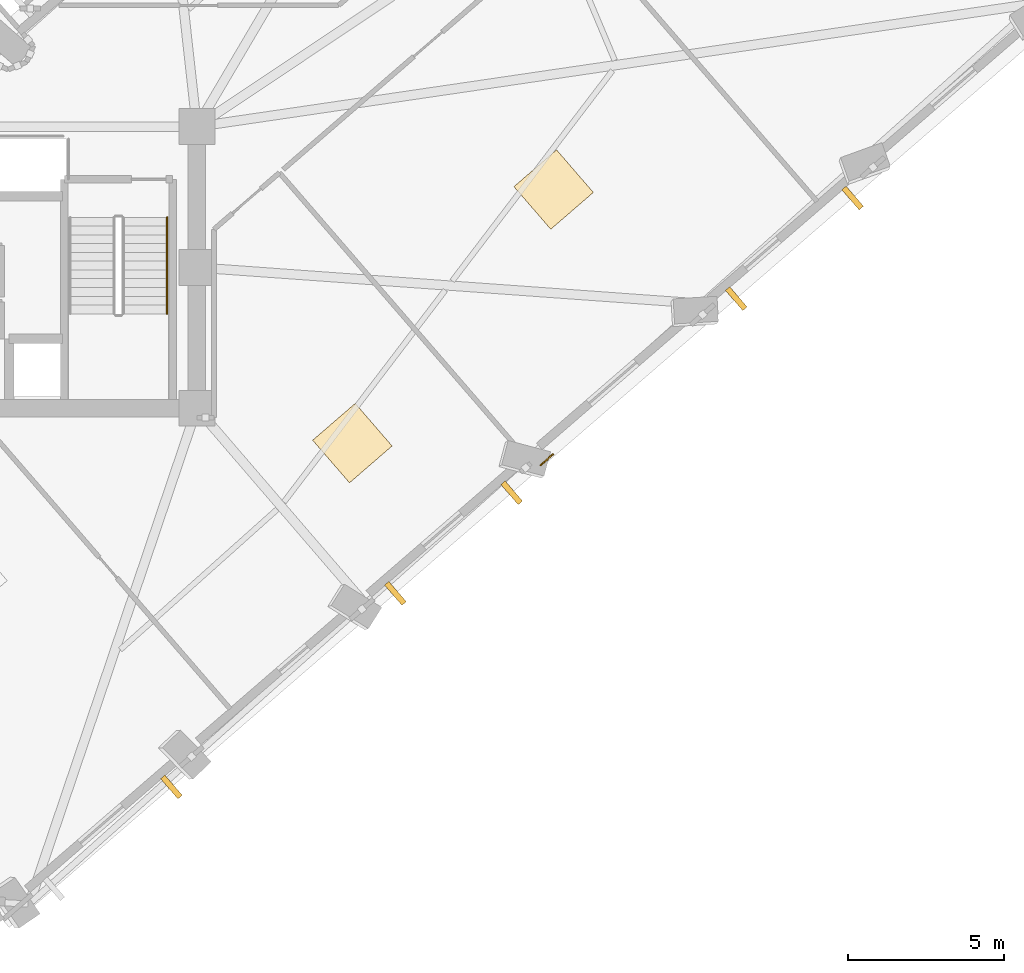
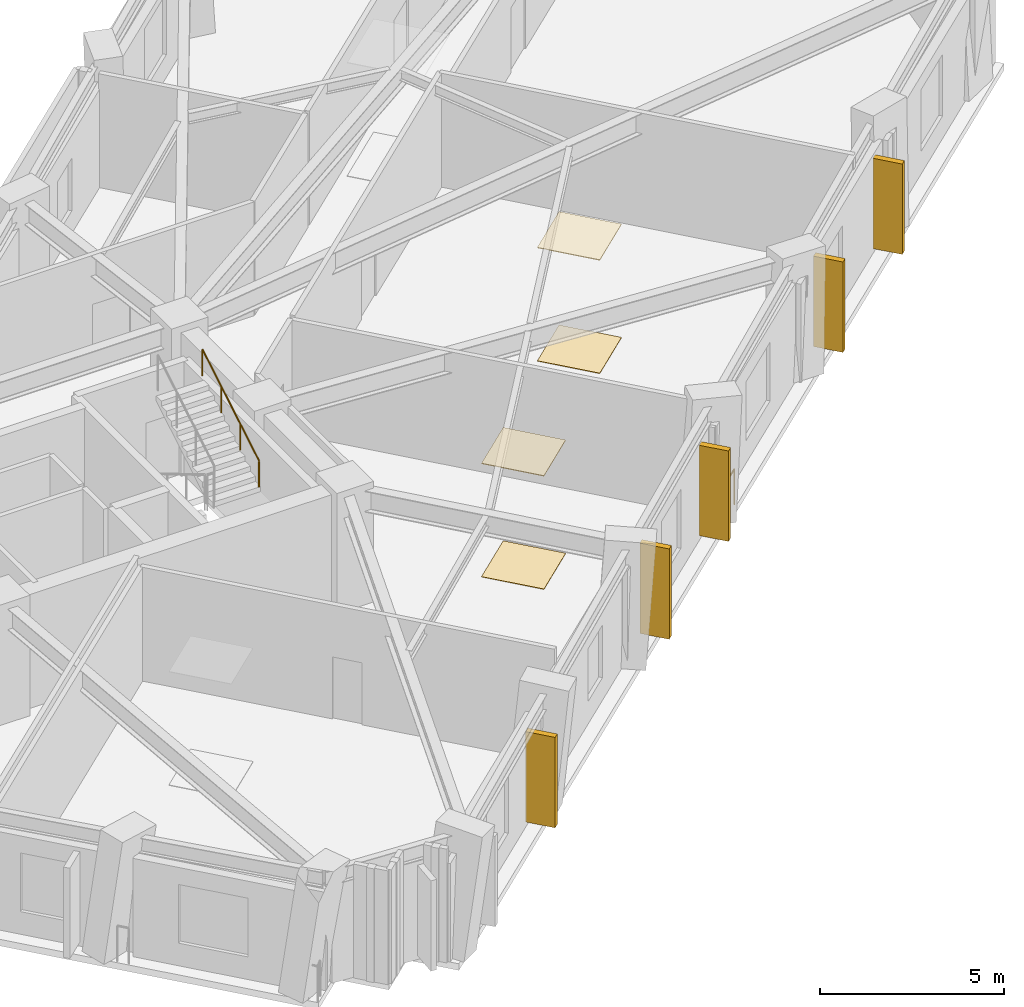
# One storey, part 12 of 14: 5 shading devices, 4 coverings, 2 railings.
"""IFC4 building model written with IfcOpenShell, lengths in metres."""

from ifc_helpers import new_model, si_unit, direction, frame, origin, origin_2d, place, context, subcontext, project, spatial, rectangle, circle, extrude, material, layer, layer_set, type_object, element, save


model = new_model("IFC4")

# Units and contexts
model_context = context("Model", 3, precision=1e-05, world=origin(), true_north=direction((0.0, 1.0)))
body_context = subcontext(model_context, "Body", "Model", "MODEL_VIEW")
ifc_project = project(units=[si_unit("LENGTHUNIT", "METRE"), si_unit("AREAUNIT", "SQUARE_METRE"), si_unit("VOLUMEUNIT", "CUBIC_METRE"), si_unit("PLANEANGLEUNIT", "RADIAN"), si_unit("MASSUNIT", "GRAM", prefix="KILO")], contexts=[model_context])

# Site, building, storey
site_placement = place(None, origin())
site = spatial("IfcSite", under=ifc_project, at=site_placement, CompositionType="ELEMENT")
building_placement = place(site_placement, origin())
building = spatial("IfcBuilding", under=site, at=building_placement, Name="Gaonmaruhae Medical Tower", CompositionType="ELEMENT")
storey_placement = place(building_placement, frame((0.0, 0.0, 197.800048828125)))
storey = spatial("IfcBuildingStorey", under=building, at=storey_placement, Name="L47", CompositionType="ELEMENT", Elevation=197.800048828125)

# Coverings
ifc_material_1 = material(Name="Acoustic mineral ceiling tile", Category="finish")
ifc_layer_1 = layer(ifc_material_1, 0.02490234375)
ifc_layer_set_1 = layer_set([ifc_layer_1], Name="Acoustic mineral ceiling tile")
covering_type_1 = type_object("IfcCoveringType", Name="CLG-01 Antimicrobial Acoustic Mineral Ceiling", PredefinedType="CEILING", material=ifc_layer_set_1)
for number, where, z_axis, x_axis, name in (
    (1, (40.573486328125, 6.685791015625, 3.7548828125), (0.0, 0.0, 1.0), (0.756424550435, 0.654080957909, 0.0), "L47 Clinical Room Acoustic Ceiling 3"),
    (2, (47.007080078125, 14.79150390625, 3.7548828125), (0.0, 0.0, 1.0), (0.756424550435, 0.654080957909, 0.0), "L47 Clinical Room Acoustic Ceiling 4"),
):
    element("IfcCovering", number, at=place(storey_placement, frame(where, z_axis=z_axis, x_axis=x_axis)), inside=storey, type_object=covering_type_1, Name=name, PredefinedType="CEILING", context=body_context, shape_type="SweptSolid", body=[
        extrude(rectangle(XDim=1.800048828125, YDim=1.800048828125, at=origin_2d()), origin(), (0.0, 0.0, 1.0), 0.02490234375),
    ])
ifc_material_2 = material(Name="Seamless clinical vinyl flooring", Category="finish")
ifc_layer_2 = layer(ifc_material_2, 0.014892578125)
ifc_layer_set_2 = layer_set([ifc_layer_2], Name="Seamless clinical vinyl flooring")
covering_type_2 = type_object("IfcCoveringType", Name="FLR-01 Seamless Clinical Antistatic Vinyl Flooring", PredefinedType="FLOORING", material=ifc_layer_set_2)
for number, where, z_axis, x_axis, name in (
    (3, (40.573486328125, 6.685791015625, 0.0), (0.0, 0.0, 1.0), (0.756424550435, 0.654080957909, 0.0), "L47 Clinical Room Vinyl Flooring 3"),
    (4, (47.007080078125, 14.79150390625, 0.0), (0.0, 0.0, 1.0), (0.756424550435, 0.654080957909, 0.0), "L47 Clinical Room Vinyl Flooring 4"),
):
    element("IfcCovering", number, at=place(storey_placement, frame(where, z_axis=z_axis, x_axis=x_axis)), inside=storey, type_object=covering_type_2, Name=name, PredefinedType="FLOORING", context=body_context, shape_type="SweptSolid", body=[
        extrude(rectangle(XDim=1.800048828125, YDim=1.800048828125, at=origin_2d()), origin(), (0.0, 0.0, 1.0), 0.014892578125),
    ])

# Railings
ifc_material_3 = material(Name="Stainless steel 316L and laminated safety glass", Category="steel")
ifc_layer_3 = layer(ifc_material_3, 0.080078125)
ifc_layer_set_3 = layer_set([ifc_layer_3], Name="Stainless steel 316L and laminated safety glass")
railing_type_1 = type_object("IfcRailingType", Name="GD-120 Outdoor Terrace Safety Glass & Steel Balustrade", PredefinedType="BALUSTRADE", material=ifc_layer_set_3)
railing_1_placement = place(storey_placement, frame((46.983642578125, 6.32373046875, 0.0)))
element("IfcRailing", 5, at=railing_1_placement, inside=storey, type_object=railing_type_1, Name="L47 Perimeter Slab Edge Safety Balustrade 03", PredefinedType="BALUSTRADE", context=body_context, shape_type="SweptSolid", body=[
    extrude(circle(Radius=0.02392578125, at=origin_2d()), frame((0.0, 0.0, 1.17578125), z_axis=(-0.756325409509, -0.654195593788, 0.0), x_axis=(0.654195593788, -0.756325409509, 0.0)), (0.0, 0.0, 1.0), 0.518798828125),
    extrude(circle(Radius=0.02099609375, at=origin_2d()), origin(), (0.0, 0.0, 1.0), 1.15185546875),
    extrude(circle(Radius=0.02099609375, at=origin_2d()), frame((-0.392333984375, -0.33935546875, 0.0)), (0.0, 0.0, 1.0), 1.15185546875),
])
ifc_material_4 = material(Name="Stainless steel 304 handrail", Category="steel")
railing_type_2 = type_object("IfcRailingType", Name="HR-092 Continuous Stainless Steel Stair Handrail", PredefinedType="HANDRAIL", material=ifc_material_4)
railing_2_placement = place(storey_placement, frame((34.64990234375, 10.820068359375, 2.16650390625)))
element("IfcRailing", 6, at=railing_2_placement, inside=storey, type_object=railing_type_2, Name="L47 ST-02 stair handrail 2", PredefinedType="HANDRAIL", context=body_context, shape_type="SweptSolid", body=[
    extrude(circle(Radius=0.02392578125, at=origin_2d()), frame((0.0, 0.0, 0.8759765625), z_axis=(0.0, 0.859260807169, 0.511537745687), x_axis=(-1.0, 0.0, 0.0)), (0.0, 0.0, 1.0), 3.584228515625),
    extrude(circle(Radius=0.02099609375, at=origin_2d()), origin(), (0.0, 0.0, 1.0), 0.851806640625),
    extrude(circle(Radius=0.02099609375, at=origin_2d()), frame((0.0, 1.026611328125, 0.611083984375)), (0.0, 0.0, 1.0), 0.851806640625),
    extrude(circle(Radius=0.02099609375, at=origin_2d()), frame((0.0, 2.05322265625, 1.222412109375)), (0.0, 0.0, 1.0), 0.851806640625),
    extrude(circle(Radius=0.02099609375, at=origin_2d()), frame((0.0, 3.079833984375, 1.83349609375)), (0.0, 0.0, 1.0), 0.851806640625),
])

# Shading devices
ifc_material_5 = material(Name="Pigmented coral precast concrete C45/55", Category="concrete")
shading_device_type = type_object("IfcShadingDeviceType", Name="SD-FIN1 Tower Vertical Coral Precast Shading Fin", PredefinedType="USERDEFINED", material=ifc_material_5)
for number, where, z_axis, x_axis, name in (
    (7, (34.7880859375, -4.307861328125, 0.132568359375), (0.0, 0.0, 1.0), (-0.756413134453, -0.654094159909, 0.0), "L47 Vertical Coral Precast Shading Fin S01"),
    (8, (45.664794921875, 5.09716796875, 0.132568359375), (0.0, 0.0, 1.0), (-0.756424550435, -0.654080957909, 0.0), "L47 Vertical Coral Precast Shading Fin S03"),
    (9, (41.947509765625, 1.8828125, 0.132568359375), (0.0, 0.0, 1.0), (-0.756424550435, -0.654080957909, 0.0), "L47 Vertical Coral Precast Shading Fin S03B"),
    (10, (56.5634765625, 14.521484375, 0.132568359375), (0.0, 0.0, 1.0), (-0.756424550435, -0.654080957909, 0.0), "L47 Vertical Coral Precast Shading Fin S05"),
    (11, (52.84326171875, 11.304443359375, 0.132568359375), (0.0, 0.0, 1.0), (-0.756424550435, -0.654080957909, 0.0), "L47 Vertical Coral Precast Shading Fin S05B"),
):
    element("IfcShadingDevice", number, at=place(storey_placement, frame(where, z_axis=z_axis, x_axis=x_axis)), inside=storey, type_object=shading_device_type, Name=name, ObjectType="FIN", PredefinedType="USERDEFINED", context=body_context, shape_type="SweptSolid", body=[
        extrude(rectangle(XDim=0.179931640625, YDim=0.85009765625, at=origin_2d()), origin(), (0.0, 0.0, 1.0), 3.0),
    ])

save(model, "model.ifc")
